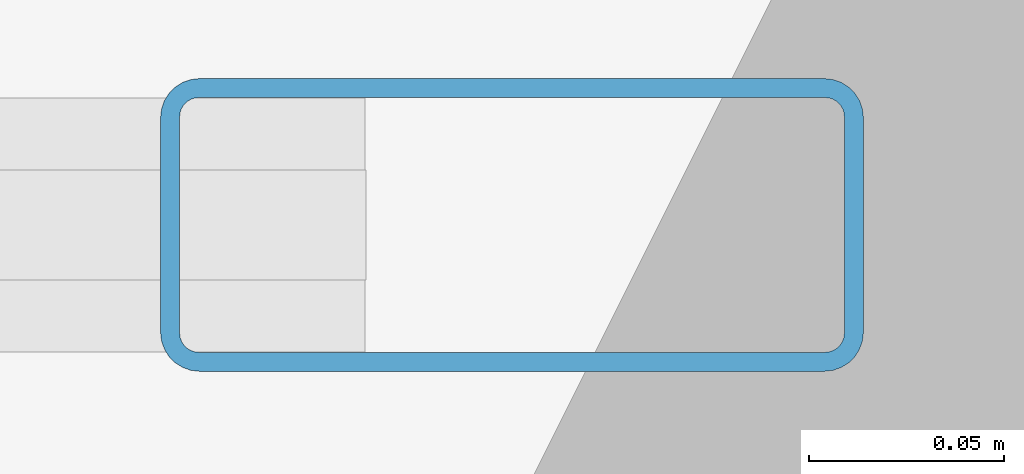
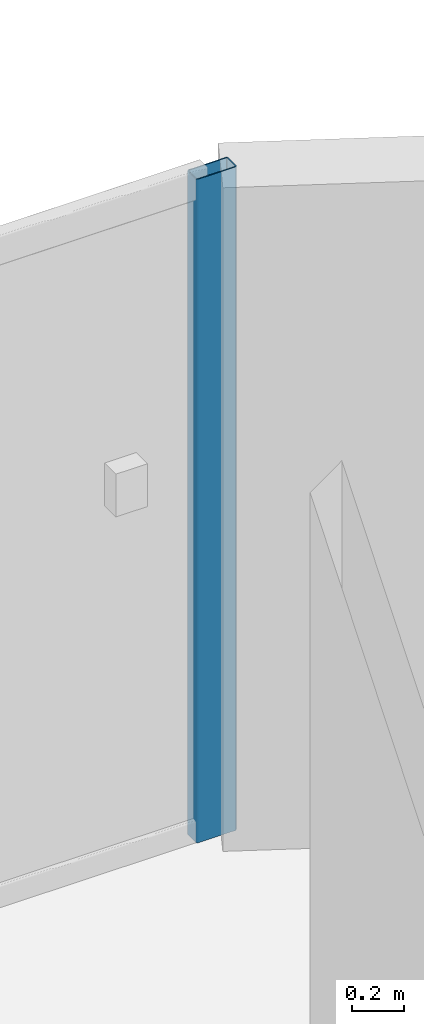
# One storey, part 8 of 21: 1 member, 1 element without a shape of its own.
"""IFC4 building model written with IfcOpenShell, lengths in metres."""

from ifc_helpers import new_model, si_unit, direction, frame, origin, origin_2d, place, context, subcontext, project, spatial, hollow_rectangle, extrude, material, layer, layer_set, material_profile, profile_set, type_object, element, aggregate, save


model = new_model("IFC4")

# Units and contexts
model_context = context("Model", 3, precision=1e-05, world=origin(), true_north=direction((0.0, 1.0)))
body_context = subcontext(model_context, "Body", "Model", "MODEL_VIEW")
ifc_project = project(units=[si_unit("LENGTHUNIT", "METRE"), si_unit("AREAUNIT", "SQUARE_METRE"), si_unit("VOLUMEUNIT", "CUBIC_METRE"), si_unit("PLANEANGLEUNIT", "RADIAN"), si_unit("MASSUNIT", "GRAM", prefix="KILO")], contexts=[model_context])

# Site, building, storey
site_placement = place(None, origin())
site = spatial("IfcSite", under=ifc_project, at=site_placement, CompositionType="ELEMENT")
building_placement = place(site_placement, origin())
building = spatial("IfcBuilding", under=site, at=building_placement, Name="Tarnavaz Court Tower", CompositionType="ELEMENT")
storey_placement = place(building_placement, frame((0.0, 0.0, 40.75)))
storey = spatial("IfcBuildingStorey", under=building, at=storey_placement, Name="L10", CompositionType="ELEMENT", Elevation=40.75)

# Curtain wall, member
ifc_material_1 = material(Name="Anodised Aluminium 6063-T6 and Solar Low-E Glazing", Category="aluminium")
ifc_layer = layer(ifc_material_1, 0.179931640625)
ifc_layer_set = layer_set([ifc_layer], Name="Anodised Aluminium 6063-T6 and Solar Low-E Glazing")
curtain_wall_type = type_object("IfcCurtainWallType", Name="CW-SYS-02", PredefinedType="NOTDEFINED", material=ifc_layer_set)
curtain_wall_placement = place(storey_placement, origin())
curtain_wall = element("IfcCurtainWall", 1, at=curtain_wall_placement, inside=storey, type_object=curtain_wall_type, Name="L10 Iwan Prow Curtain Wall 7", PredefinedType="NOTDEFINED")
ifc_material_2 = material(Name="Anodised Aluminium 6063-T6", Category="aluminium")
ifc_material_profile = material_profile(ifc_material_2, hollow_rectangle(XDim=0.074951171875, YDim=0.179931640625, WallThickness=0.0048828125, InnerFilletRadius=0.0048828125, OuterFilletRadius=0.010009765625, at=origin_2d()), Name="ALU RHS 180X75X5")
ifc_profile_set = profile_set([ifc_material_profile], Name="Anodised Aluminium 6063-T6")
member_type = type_object("IfcMemberType", Name="CW-MUL-180", PredefinedType="MULLION", material=ifc_profile_set)
member_placement = place(storey_placement, frame((4.3125, 25.050048828125, 0.0), z_axis=(0.0, 0.0, 1.0), x_axis=(0.0, 1.0, 0.0)))
member = element("IfcMember", 2, at=member_placement, type_object=member_type, Name="CW mullion 4", PredefinedType="MULLION", context=body_context, shape_type="SweptSolid", body=[
    extrude(hollow_rectangle(XDim=0.074951171875, YDim=0.179931640625, WallThickness=0.0048828125, InnerFilletRadius=0.0048828125, OuterFilletRadius=0.010009765625, at=origin_2d()), origin(), (0.0, 0.0, 1.0), 3.10009765625),
])
aggregate(curtain_wall, [member])

save(model, "model.ifc")
